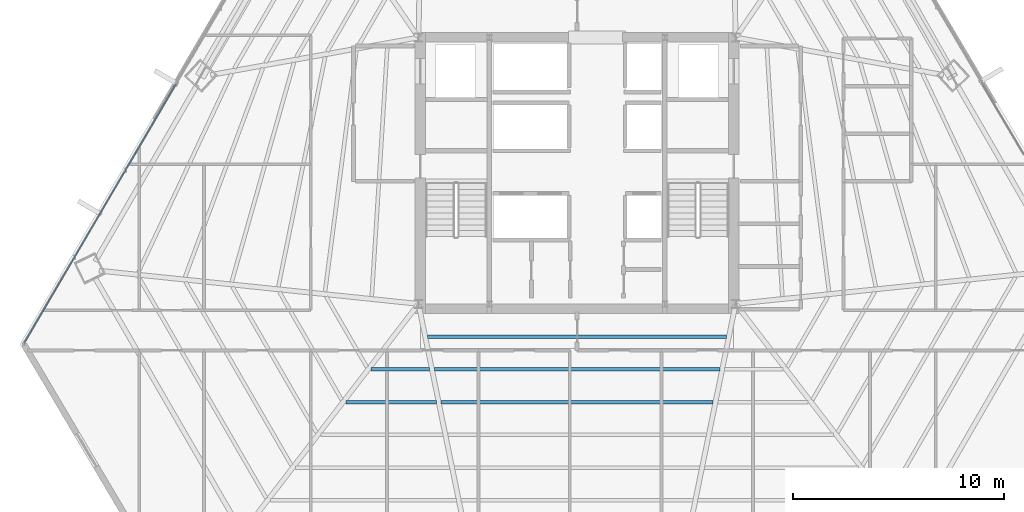
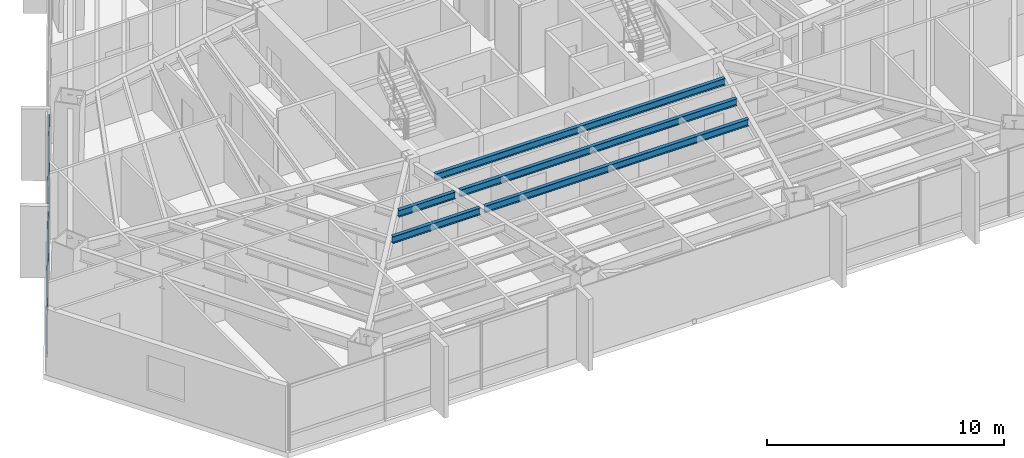
# One storey, part 10 of 36: 5 beams, 2 members, 1 element without a shape of its own.
"""IFC4 building model written with IfcOpenShell, lengths in metres."""

from ifc_helpers import new_model, si_unit, direction, frame, origin, origin_2d, place, context, subcontext, project, spatial, hollow_rectangle, i_section, extrude, source, transform, mapped, material, material_profile, profile_set, type_object, type_shapes, element, aggregate, save


model = new_model("IFC4")

# Units and contexts
model_context = context("Model", 3, precision=1e-05, world=origin(), true_north=direction((0.0, 1.0)))
body_context = subcontext(model_context, "Body", "Model", "MODEL_VIEW")
ifc_project = project(units=[si_unit("LENGTHUNIT", "METRE"), si_unit("AREAUNIT", "SQUARE_METRE"), si_unit("VOLUMEUNIT", "CUBIC_METRE"), si_unit("PLANEANGLEUNIT", "RADIAN"), si_unit("MASSUNIT", "GRAM", prefix="KILO")], contexts=[model_context])

# Site, building, storey
site_placement = place(None, origin())
site = spatial("IfcSite", under=ifc_project, at=site_placement, CompositionType="ELEMENT")
building_placement = place(site_placement, origin())
building = spatial("IfcBuilding", under=site, at=building_placement, Name="Caelisora Broadcast Tower", CompositionType="ELEMENT")
storey_placement = place(building_placement, frame((0.0, 0.0, 112.699951171875)))
storey = spatial("IfcBuildingStorey", under=building, at=storey_placement, Name="L29", CompositionType="ELEMENT", Elevation=112.699951171875)

# Beams
ifc_material_1 = material(Name="Steel Grade 350 (AS/NZS 3679.1)", Category="steel")
ifc_material_profile_1 = material_profile(ifc_material_1, i_section(OverallWidth=0.172119140625, OverallDepth=0.358642578125, WebThickness=0.008056640625, FlangeThickness=0.012939453125, at=origin_2d()), Name="Steel Grade 350 (AS/NZS 3679.1)")
ifc_profile_set_1 = profile_set([ifc_material_profile_1], Name="Steel Grade 350 (AS/NZS 3679.1)")
beam_type = type_object("IfcBeamType", Name="SB02", PredefinedType="JOIST", material=ifc_profile_set_1)
shared_shape_1 = source(origin(), body_context, "Body", "SweptSolid", [
    extrude(i_section(OverallWidth=0.172119140625, OverallDepth=0.358642578125, WebThickness=0.008056640625, FlangeThickness=0.012939453125, at=origin_2d()), origin(), (0.0, 0.0, 1.0), 2.7607421875),
])
beam_1_placement = place(storey_placement, frame((28.261474609375, 14.30224609375, 3.220703125), z_axis=(1.0, 0.0, 0.0), x_axis=(0.0, 1.0, 0.0)))
element("IfcBeam", 1, at=beam_1_placement, inside=storey, type_object=beam_type, Name="L29 beam SB02", PredefinedType="JOIST", context=body_context, shape_type="MappedRepresentation", body=[
    mapped(shared_shape_1, transform((0.0, 0.0, 0.0), scale=1.0)),
])
shared_shape_2 = source(origin(), body_context, "Body", "SweptSolid", [
    extrude(i_section(OverallWidth=0.172119140625, OverallDepth=0.358642578125, WebThickness=0.008056640625, FlangeThickness=0.012939453125, at=origin_2d()), origin(), (0.0, 0.0, 1.0), 4.26806640625),
])
beam_2_placement = place(storey_placement, frame((27.07177734375, 12.75341796875, 3.220703125), z_axis=(1.0, 0.0, 0.0), x_axis=(0.0, 1.0, 0.0)))
element("IfcBeam", 2, at=beam_2_placement, inside=storey, type_object=beam_type, Name="L29 beam SB02", PredefinedType="JOIST", context=body_context, shape_type="MappedRepresentation", body=[
    mapped(shared_shape_2, transform((0.0, 0.0, 0.0), scale=1.0)),
])
shared_shape_3 = source(origin(), body_context, "Body", "SweptSolid", [
    extrude(i_section(OverallWidth=0.172119140625, OverallDepth=0.358642578125, WebThickness=0.008056640625, FlangeThickness=0.012939453125, at=origin_2d()), origin(), (0.0, 0.0, 1.0), 14.1376953125),
])
beam_3_placement = place(storey_placement, frame((30.93115234375, 15.85107421875, 3.220703125), z_axis=(1.0, 0.0, 0.0), x_axis=(0.0, 1.0, 0.0)))
element("IfcBeam", 3, at=beam_3_placement, inside=storey, type_object=beam_type, Name="L29 beam SB02", PredefinedType="JOIST", context=body_context, shape_type="MappedRepresentation", body=[
    mapped(shared_shape_3, transform((0.0, 0.0, 0.0), scale=1.0)),
])
shared_shape_4 = source(origin(), body_context, "Body", "SweptSolid", [
    extrude(i_section(OverallWidth=0.172119140625, OverallDepth=0.358642578125, WebThickness=0.008056640625, FlangeThickness=0.012939453125, at=origin_2d()), origin(), (0.0, 0.0, 1.0), 13.50244140625),
])
beam_4_placement = place(storey_placement, frame((31.248779296875, 14.30224609375, 3.220703125), z_axis=(1.0, 0.0, 0.0), x_axis=(0.0, 1.0, 0.0)))
element("IfcBeam", 4, at=beam_4_placement, inside=storey, type_object=beam_type, Name="L29 beam SB02", PredefinedType="JOIST", context=body_context, shape_type="MappedRepresentation", body=[
    mapped(shared_shape_4, transform((0.0, 0.0, 0.0), scale=1.0)),
])
shared_shape_5 = source(origin(), body_context, "Body", "SweptSolid", [
    extrude(i_section(OverallWidth=0.172119140625, OverallDepth=0.358642578125, WebThickness=0.008056640625, FlangeThickness=0.012939453125, at=origin_2d()), origin(), (0.0, 0.0, 1.0), 12.86669921875),
])
type_shapes(beam_type, [shared_shape_1, shared_shape_2, shared_shape_3, shared_shape_4, shared_shape_5])
beam_5_placement = place(storey_placement, frame((31.566650390625, 12.75341796875, 3.220703125), z_axis=(1.0, 0.0, 0.0), x_axis=(0.0, 1.0, 0.0)))
element("IfcBeam", 5, at=beam_5_placement, inside=storey, type_object=beam_type, Name="L29 beam SB02", PredefinedType="JOIST", context=body_context, shape_type="MappedRepresentation", body=[
    mapped(shared_shape_5, transform((0.0, 0.0, 0.0), scale=1.0)),
])

# Curtain wall, members
ifc_material_2 = material(Name="Unitised Aluminium and Low-E Glass Curtain Wall", Category="glass")
curtain_wall_type = type_object("IfcCurtainWallType", Name="CW-Z2", PredefinedType="NOTDEFINED", material=ifc_material_2)
curtain_wall_placement = place(storey_placement, origin())
curtain_wall = element("IfcCurtainWall", 6, at=curtain_wall_placement, inside=storey, type_object=curtain_wall_type, Name="L29 curtain wall CW-Z2", PredefinedType="NOTDEFINED")
ifc_material_3 = material(Name="Aluminium 6063-T6 Anodised Terracotta Bronze", Category="aluminium")
ifc_material_profile_2 = material_profile(ifc_material_3, hollow_rectangle(XDim=0.06005859375, YDim=0.14990234375, WallThickness=0.00341796875, at=origin_2d()), Name="Aluminium 6063-T6 Anodised Terracotta Bronze")
ifc_profile_set_2 = profile_set([ifc_material_profile_2], Name="Aluminium 6063-T6 Anodised Terracotta Bronze")
member_type = type_object("IfcMemberType", Name="CWT-02", PredefinedType="USERDEFINED", material=ifc_profile_set_2)
shared_shape_6 = source(origin(), body_context, "Body", "SweptSolid", [
    extrude(hollow_rectangle(XDim=0.06005859375, YDim=0.14990234375, WallThickness=0.00341796875, at=origin_2d()), origin(), (0.0, 0.0, 1.0), 14.191162109375),
])
type_shapes(member_type, [shared_shape_6])
member_1_placement = place(storey_placement, frame((11.851318359375, 15.541015625, 0.85009765625), z_axis=(0.505534493645, 0.862806395279, 0.0), x_axis=(-0.862806395279, 0.505534493645, 0.0)))
member_1 = element("IfcMember", 7, at=member_1_placement, type_object=member_type, Name="L29-CW-B09 transom #1", ObjectType="TRANSOM", PredefinedType="USERDEFINED", context=body_context, shape_type="MappedRepresentation", body=[
    mapped(shared_shape_6, transform((0.0, 0.0, 0.0), scale=1.0)),
])
member_2_placement = place(storey_placement, frame((11.851318359375, 15.541015625, 3.320068359375), z_axis=(0.505534493645, 0.862806395279, 0.0), x_axis=(-0.862806395279, 0.505534493645, 0.0)))
member_2 = element("IfcMember", 8, at=member_2_placement, type_object=member_type, Name="L29-CW-B09 transom #2", ObjectType="TRANSOM", PredefinedType="USERDEFINED", context=body_context, shape_type="MappedRepresentation", body=[
    mapped(shared_shape_6, transform((0.0, 0.0, 0.0), scale=1.0)),
])
aggregate(curtain_wall, [member_1, member_2])

save(model, "model.ifc")
